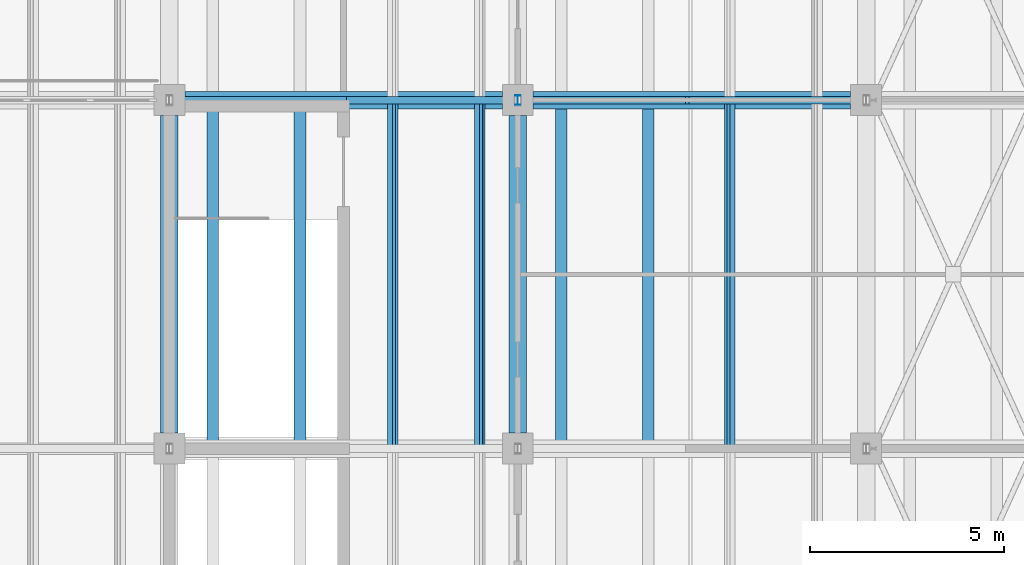
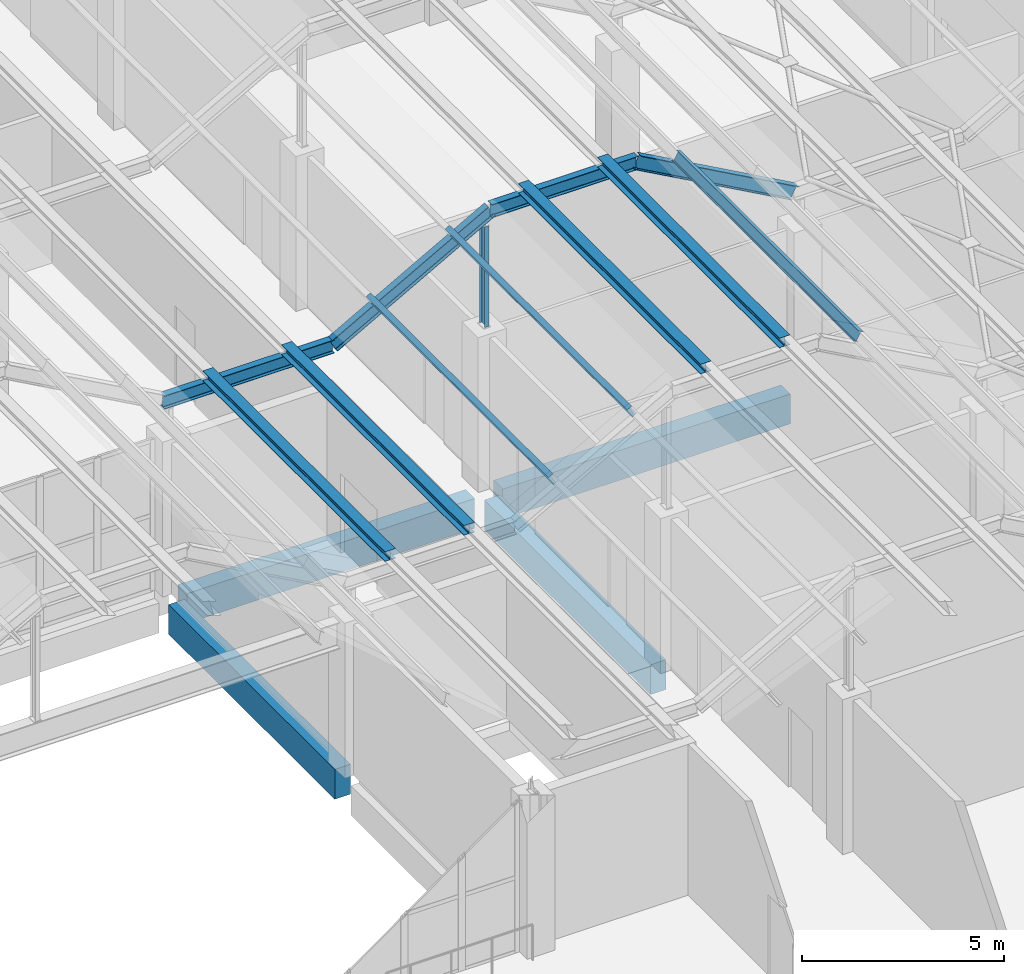
# One storey, part 39 of 437: 12 members, 4 beams.
"""IFC4 building model written with IfcOpenShell, lengths in metres."""

from ifc_helpers import new_model, si_unit, direction, frame, origin, origin_2d, place, context, subcontext, project, spatial, rectangle, i_section, extrude, material, material_profile, profile_set, type_object, element, save


model = new_model("IFC4")

# Units and contexts
model_context = context("Model", 3, precision=1e-05, world=origin(), true_north=direction((0.0, 1.0)))
body_context = subcontext(model_context, "Body", "Model", "MODEL_VIEW")
ifc_project = project(units=[si_unit("LENGTHUNIT", "METRE"), si_unit("AREAUNIT", "SQUARE_METRE"), si_unit("VOLUMEUNIT", "CUBIC_METRE"), si_unit("PLANEANGLEUNIT", "RADIAN"), si_unit("MASSUNIT", "GRAM", prefix="KILO")], contexts=[model_context])

# Site, building, storey
site_placement = place(None, origin())
site = spatial("IfcSite", under=ifc_project, at=site_placement, CompositionType="ELEMENT")
building_placement = place(site_placement, origin())
building = spatial("IfcBuilding", under=site, at=building_placement, Name="Opaline Strait Convention Centre", CompositionType="ELEMENT")
storey_placement = place(building_placement, frame((0.0, 0.0, 11.5)))
storey = spatial("IfcBuildingStorey", under=building, at=storey_placement, Name="L02", CompositionType="ELEMENT", Elevation=11.5)

# Members
ifc_material_1 = material(Name="Steel Q355B", Category="steel")
ifc_material_profile_1 = material_profile(ifc_material_1, i_section(OverallWidth=0.300048828125, OverallDepth=0.300048828125, WebThickness=0.010009765625, FlangeThickness=0.014892578125, FilletRadius=0.012939453125, at=origin_2d()), Name="HW 300x300x10x15")
ifc_profile_set_1 = profile_set([ifc_material_profile_1], Name="Steel Q355B")
member_type_1 = type_object("IfcMemberType", Name="Crest purlin HW 300x300x10x15", PredefinedType="PURLIN", material=ifc_profile_set_1)
for number, where, z_axis, x_axis, name in (
    (1, (55.125, 54.0, 5.949951171875), (0.0, 1.0, 0.0), (-1.0, 0.0, 0.0), "RU1 purlin facet 11 line 1"),
    (2, (57.375, 54.0, 5.949951171875), (0.0, 1.0, 0.0), (-1.0, 0.0, 0.0), "RU1 purlin facet 11 line 2"),
    (3, (64.125, 54.0, 8.449951171875), (0.0, 1.0, 0.0), (-1.0, 0.0, 0.0), "RU1 purlin facet 13 line 1"),
    (4, (66.375, 54.0, 8.449951171875), (0.0, 1.0, 0.0), (-1.0, 0.0, 0.0), "RU1 purlin facet 13 line 2"),
):
    element("IfcMember", number, at=place(storey_placement, frame(where, z_axis=z_axis, x_axis=x_axis)), inside=storey, type_object=member_type_1, Name=name, PredefinedType="PURLIN", context=body_context, shape_type="SweptSolid", body=[
        extrude(i_section(OverallWidth=0.300048828125, OverallDepth=0.300048828125, WebThickness=0.010009765625, FlangeThickness=0.014892578125, FilletRadius=0.012939453125, at=origin_2d()), origin(), (0.0, 0.0, 1.0), 9.0),
    ])

# Beams
ifc_material_2 = material(Name="Concrete C35", Category="concrete")
ifc_material_profile_2 = material_profile(ifc_material_2, rectangle(XDim=0.449951171875, YDim=0.89990234375, at=origin_2d()), Name="RC 450x900")
ifc_profile_set_2 = profile_set([ifc_material_profile_2], Name="Concrete C35")
beam_type = type_object("IfcBeamType", Name="RC beam 450x900 C35", PredefinedType="BEAM", material=ifc_profile_set_2)
for number, where, z_axis, x_axis, name in (
    (5, (54.39990234375, 63.0, -0.72998046875), (1.0, 0.0, 0.0), (0.0, 1.0, 0.0), "XB1 L02 54/63-63/63"),
    (6, (63.39990234375, 63.0, -0.72998046875), (1.0, 0.0, 0.0), (0.0, 1.0, 0.0), "XB1 L02 63/63-72/63"),
    (7, (54.0, 54.39990234375, -0.72998046875), (0.0, 1.0, 0.0), (-1.0, 0.0, 0.0), "XB1 L02 54/54-54/63"),
    (8, (63.0, 54.39990234375, -0.72998046875), (0.0, 1.0, 0.0), (-1.0, 0.0, 0.0), "XB1 L02 63/54-63/63"),
):
    element("IfcBeam", number, at=place(storey_placement, frame(where, z_axis=z_axis, x_axis=x_axis)), inside=storey, type_object=beam_type, Name=name, PredefinedType="BEAM", context=body_context, shape_type="SweptSolid", body=[
        extrude(rectangle(XDim=0.449951171875, YDim=0.89990234375, at=origin_2d()), origin(), (0.0, 0.0, 1.0), 8.2001953125),
    ])

# Members
ifc_material_profile_3 = material_profile(ifc_material_1, i_section(OverallWidth=0.125, OverallDepth=0.25, WebThickness=0.006103515625, FlangeThickness=0.009033203125, FilletRadius=0.008056640625, at=origin_2d()), Name="HN 250x125x6x9")
ifc_profile_set_3 = profile_set([ifc_material_profile_3], Name="Steel Q355B")
member_type_2 = type_object("IfcMemberType", Name="Roof post HN 250x125x6x9", PredefinedType="STRUT", material=ifc_profile_set_3)
member_1_placement = place(storey_placement, frame((63.0, 63.0, 4.68994140625), z_axis=(0.0, 0.0, 1.0), x_axis=(1.0, 0.0, 0.0)))
element("IfcMember", 9, at=member_1_placement, inside=storey, type_object=member_type_2, Name="RP1 roof post at 63/63", PredefinedType="STRUT", context=body_context, shape_type="SweptSolid", body=[
    extrude(i_section(OverallWidth=0.125, OverallDepth=0.25, WebThickness=0.006103515625, FlangeThickness=0.009033203125, FilletRadius=0.008056640625, at=origin_2d()), origin(), (0.0, 0.0, 1.0), 3.031005859375),
])
ifc_material_profile_4 = material_profile(ifc_material_1, i_section(OverallWidth=0.14990234375, OverallDepth=0.300048828125, WebThickness=0.006591796875, FlangeThickness=0.009033203125, FilletRadius=0.012939453125, at=origin_2d()), Name="HN 300x150x6.5x9")
ifc_profile_set_4 = profile_set([ifc_material_profile_4], Name="Steel Q355B")
member_type_3 = type_object("IfcMemberType", Name="Roof purlin HN 300x150x6.5x9", PredefinedType="PURLIN", material=ifc_profile_set_4)
for number, where, z_axis, x_axis, name in (
    (10, (59.770751953125, 54.0, 6.61279296875), (0.0, 1.0, 0.0), (-0.874157310866, 0.0, -0.485642868639), "RU1 purlin facet 12 line 1"),
    (11, (62.020751953125, 54.0, 7.86279296875), (0.0, 1.0, 0.0), (-0.874157310866, 0.0, -0.485642868639), "RU1 purlin facet 12 line 2"),
    (12, (68.479248046875, 54.0, 7.86279296875), (0.0, 1.0, 0.0), (-0.874157310866, 0.0, 0.485642868639), "RU1 purlin facet 14 line 1"),
):
    element("IfcMember", number, at=place(storey_placement, frame(where, z_axis=z_axis, x_axis=x_axis)), inside=storey, type_object=member_type_3, Name=name, PredefinedType="PURLIN", context=body_context, shape_type="SweptSolid", body=[
        extrude(i_section(OverallWidth=0.14990234375, OverallDepth=0.300048828125, WebThickness=0.006591796875, FlangeThickness=0.009033203125, FilletRadius=0.012939453125, at=origin_2d()), origin(), (0.0, 0.0, 1.0), 9.0),
    ])
ifc_material_profile_5 = material_profile(ifc_material_1, i_section(OverallWidth=0.199951171875, OverallDepth=0.39990234375, WebThickness=0.008056640625, FlangeThickness=0.012939453125, FilletRadius=0.012939453125, at=origin_2d()), Name="HN 400x200x8x13")
ifc_profile_set_5 = profile_set([ifc_material_profile_5], Name="Steel Q355B")
member_type_4 = type_object("IfcMemberType", Name="Roof rafter HN 400x200x8x13", PredefinedType="RAFTER", material=ifc_profile_set_5)
member_2_placement = place(storey_placement, frame((53.83154296875, 63.0, 5.60009765625), z_axis=(1.0, 0.0, 0.0), x_axis=(0.0, 1.0, 0.0)))
element("IfcMember", 13, at=member_2_placement, inside=storey, type_object=member_type_4, Name="RR1 rafter line 7 facet 12", PredefinedType="RAFTER", context=body_context, shape_type="SweptSolid", body=[
    extrude(i_section(OverallWidth=0.199951171875, OverallDepth=0.39990234375, WebThickness=0.008056640625, FlangeThickness=0.012939453125, FilletRadius=0.012939453125, at=origin_2d()), origin(), (0.0, 0.0, 1.0), 4.8369140625),
])
member_3_placement = place(storey_placement, frame((58.66845703125, 63.0, 5.60009765625), z_axis=(0.874157276122, 0.0, 0.485642931179), x_axis=(0.0, 1.0, 0.0)))
element("IfcMember", 14, at=member_3_placement, inside=storey, type_object=member_type_4, Name="RR1 rafter line 7 facet 13", PredefinedType="RAFTER", context=body_context, shape_type="SweptSolid", body=[
    extrude(i_section(OverallWidth=0.199951171875, OverallDepth=0.39990234375, WebThickness=0.008056640625, FlangeThickness=0.012939453125, FilletRadius=0.012939453125, at=origin_2d()), origin(), (0.0, 0.0, 1.0), 5.147705078125),
])
member_4_placement = place(storey_placement, frame((63.16845703125, 63.0, 8.10009765625), z_axis=(1.0, 0.0, 0.0), x_axis=(0.0, 1.0, 0.0)))
element("IfcMember", 15, at=member_4_placement, inside=storey, type_object=member_type_4, Name="RR1 rafter line 7 facet 14", PredefinedType="RAFTER", context=body_context, shape_type="SweptSolid", body=[
    extrude(i_section(OverallWidth=0.199951171875, OverallDepth=0.39990234375, WebThickness=0.008056640625, FlangeThickness=0.012939453125, FilletRadius=0.012939453125, at=origin_2d()), origin(), (0.0, 0.0, 1.0), 4.1630859375),
])
member_5_placement = place(storey_placement, frame((67.33154296875, 63.0, 8.10009765625), z_axis=(0.874157276122, 0.0, -0.485642931179), x_axis=(0.0, 1.0, 0.0)))
element("IfcMember", 16, at=member_5_placement, inside=storey, type_object=member_type_4, Name="RR1 rafter line 7 facet 15", PredefinedType="RAFTER", context=body_context, shape_type="SweptSolid", body=[
    extrude(i_section(OverallWidth=0.199951171875, OverallDepth=0.39990234375, WebThickness=0.008056640625, FlangeThickness=0.012939453125, FilletRadius=0.012939453125, at=origin_2d()), origin(), (0.0, 0.0, 1.0), 5.147705078125),
])

save(model, "model.ifc")
